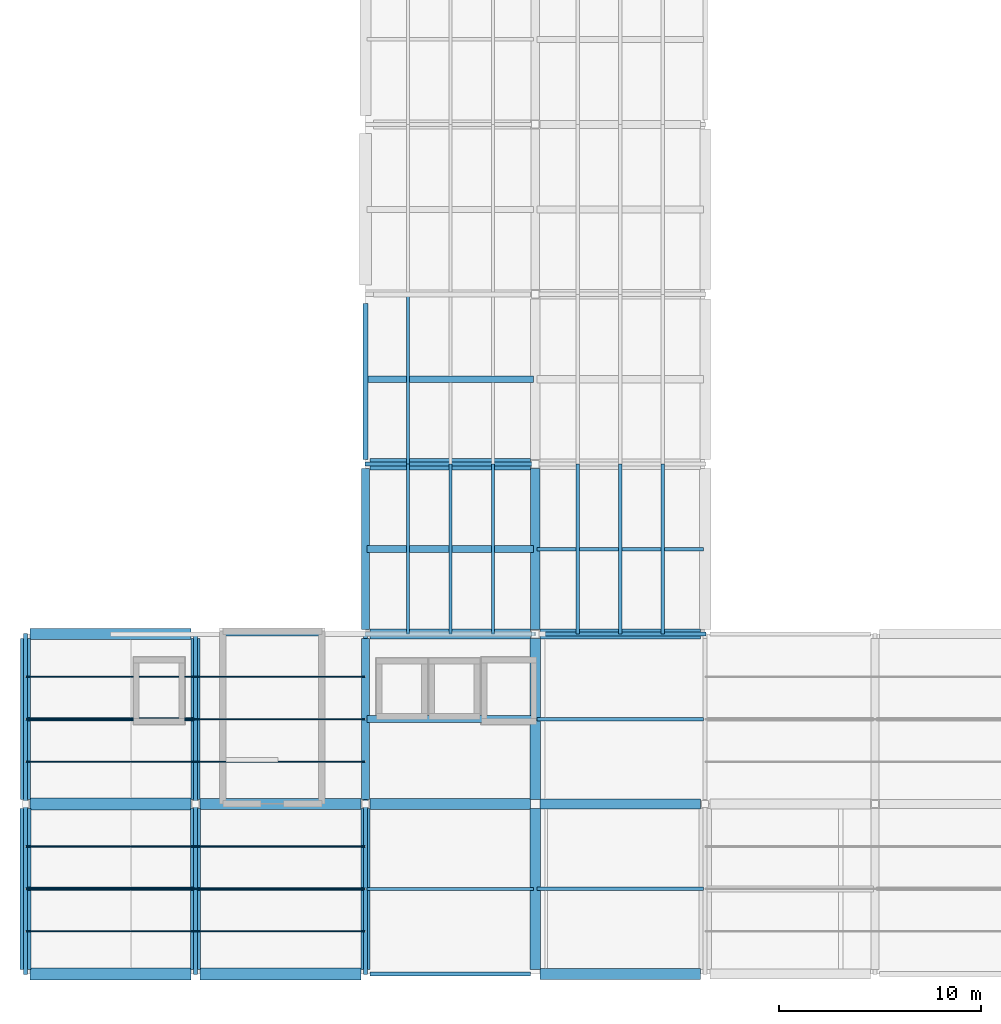
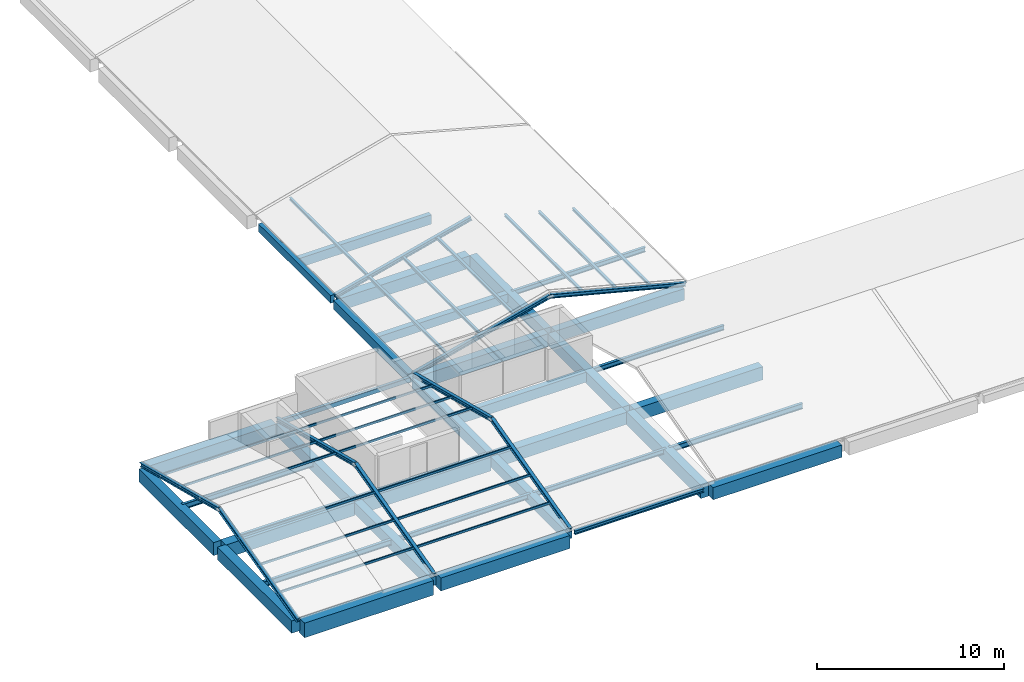
# One storey, part 1 of 17: 34 beams, 28 members.
"""IFC4 building model written with IfcOpenShell, lengths in metres."""

from ifc_helpers import new_model, si_unit, derived_unit, direction, frame, origin, origin_2d, place, context, subcontext, project, spatial, rectangle, hollow_rectangle, i_section, extrude, material, material_profile, profile_set, type_object, element, save


model = new_model("IFC4")

# Units and contexts
model_context = context("Model", 3, precision=1e-05, world=origin(), true_north=direction((0.0, 1.0)))
body_context = subcontext(model_context, "Body", "Model", "MODEL_VIEW")
ifc_project = project(units=[si_unit("LENGTHUNIT", "METRE"), si_unit("AREAUNIT", "SQUARE_METRE"), si_unit("VOLUMEUNIT", "CUBIC_METRE"), si_unit("PLANEANGLEUNIT", "RADIAN"), si_unit("MASSUNIT", "GRAM", prefix="KILO"), derived_unit("THERMALTRANSMITTANCEUNIT", [(si_unit("POWERUNIT", "WATT"), 1), (si_unit("LENGTHUNIT", "METRE"), -2), (si_unit("THERMODYNAMICTEMPERATUREUNIT", "KELVIN"), -1)])], contexts=[model_context])

# Site, building, storey
site_placement = place(None, origin())
site = spatial("IfcSite", under=ifc_project, at=site_placement, CompositionType="ELEMENT")
building_placement = place(site_placement, origin())
building = spatial("IfcBuilding", under=site, at=building_placement, Name="Barrovel Congress Hotel", CompositionType="ELEMENT")
storey_placement = place(building_placement, frame((0.0, 0.0, 47.10009765625)))
storey = spatial("IfcBuildingStorey", under=building, at=storey_placement, Name="RF", CompositionType="ELEMENT", Elevation=47.10009765625)

# Beams
ifc_material_1 = material(Name="Concrete C40", Category="concrete")
ifc_material_profile_1 = material_profile(ifc_material_1, rectangle(XDim=0.25, YDim=0.5, at=origin_2d()), Name="RC250x500")
ifc_profile_set_1 = profile_set([ifc_material_profile_1], Name="Concrete C40")
beam_type_1 = type_object("IfcBeamType", Name="BM-RC250x500", PredefinedType="SPANDREL", material=ifc_profile_set_1)
beam_1_placement = place(storey_placement, frame((33.60009765625, 29.625, -0.489990234375), z_axis=(0.0, 1.0, 0.0), x_axis=(-1.0, 0.0, 0.0)))
element("IfcBeam", 1, at=beam_1_placement, inside=storey, type_object=beam_type_1, Name="BMY:RF:33.6:29.4-37.8", PredefinedType="SPANDREL", context=body_context, shape_type="SweptSolid", body=[
    extrude(rectangle(XDim=0.25, YDim=0.5, at=origin_2d()), origin(), (0.0, 0.0, 1.0), 7.72509765625),
])
ifc_material_profile_2 = material_profile(ifc_material_1, rectangle(XDim=0.300048828125, YDim=0.60009765625, at=origin_2d()), Name="RC300x600")
ifc_profile_set_2 = profile_set([ifc_material_profile_2], Name="Concrete C40")
beam_type_2 = type_object("IfcBeamType", Name="BM-RC300x600", PredefinedType="JOIST", material=ifc_profile_set_2)
beam_2_placement = place(storey_placement, frame((33.679931640625, 33.60009765625, -0.5400390625), z_axis=(1.0, 0.0, 0.0), x_axis=(0.0, 1.0, 0.0)))
element("IfcBeam", 2, at=beam_2_placement, inside=storey, type_object=beam_type_2, Name="JST:RF:33.6:33.6", PredefinedType="JOIST", context=body_context, shape_type="SweptSolid", body=[
    extrude(rectangle(XDim=0.300048828125, YDim=0.60009765625, at=origin_2d()), origin(), (0.0, 0.0, 1.0), 8.239990234375),
])
ifc_material_profile_3 = material_profile(ifc_material_1, rectangle(XDim=0.35009765625, YDim=0.550048828125, at=origin_2d()), Name="RC350x550")
ifc_profile_set_3 = profile_set([ifc_material_profile_3], Name="Concrete C40")
beam_type_3 = type_object("IfcBeamType", Name="BM-RC350x550", PredefinedType="JOIST", material=ifc_profile_set_3)
beam_3_placement = place(storey_placement, frame((33.679931640625, 25.199951171875, -0.51513671875), z_axis=(1.0, 0.0, 0.0), x_axis=(0.0, 1.0, 0.0)))
element("IfcBeam", 3, at=beam_3_placement, inside=storey, type_object=beam_type_3, Name="JST:RF:33.6:25.2", PredefinedType="JOIST", context=body_context, shape_type="SweptSolid", body=[
    extrude(rectangle(XDim=0.35009765625, YDim=0.550048828125, at=origin_2d()), origin(), (0.0, 0.0, 1.0), 8.239990234375),
])
ifc_material_profile_4 = material_profile(ifc_material_1, rectangle(XDim=0.35009765625, YDim=0.64990234375, at=origin_2d()), Name="RC350x650")
ifc_profile_set_4 = profile_set([ifc_material_profile_4], Name="Concrete C40")
beam_type_4 = type_object("IfcBeamType", Name="BM-RC350x650", PredefinedType="JOIST", material=ifc_profile_set_4)
beam_4_placement = place(storey_placement, frame((33.679931640625, 16.800048828125, -0.565185546875), z_axis=(1.0, 0.0, 0.0), x_axis=(0.0, 1.0, 0.0)))
element("IfcBeam", 4, at=beam_4_placement, inside=storey, type_object=beam_type_4, Name="JST:RF:33.6:16.8", PredefinedType="JOIST", context=body_context, shape_type="SweptSolid", body=[
    extrude(rectangle(XDim=0.35009765625, YDim=0.64990234375, at=origin_2d()), origin(), (0.0, 0.0, 1.0), 8.239990234375),
])
ifc_material_profile_5 = material_profile(ifc_material_1, rectangle(XDim=0.39990234375, YDim=0.60009765625, at=origin_2d()), Name="RC400x600")
ifc_profile_set_5 = profile_set([ifc_material_profile_5], Name="Concrete C40")
beam_type_5 = type_object("IfcBeamType", Name="BM-RC400x600", PredefinedType="BEAM", material=ifc_profile_set_5)
beam_5_placement = place(storey_placement, frame((33.60009765625, 21.22509765625, -0.5400390625), z_axis=(0.0, 1.0, 0.0), x_axis=(-1.0, 0.0, 0.0)))
element("IfcBeam", 5, at=beam_5_placement, inside=storey, type_object=beam_type_5, Name="BMY:RF:33.6:21.0-29.4", PredefinedType="BEAM", context=body_context, shape_type="SweptSolid", body=[
    extrude(rectangle(XDim=0.39990234375, YDim=0.60009765625, at=origin_2d()), origin(), (0.0, 0.0, 1.0), 7.949951171875),
])
ifc_material_profile_6 = material_profile(ifc_material_1, rectangle(XDim=0.39990234375, YDim=0.699951171875, at=origin_2d()), Name="RC400x700")
ifc_profile_set_6 = profile_set([ifc_material_profile_6], Name="Concrete C40")
beam_type_6 = type_object("IfcBeamType", Name="BM-RC400x700", PredefinedType="BEAM", material=ifc_profile_set_6)
beam_6_placement = place(storey_placement, frame((33.60009765625, 12.824951171875, -0.590087890625), z_axis=(0.0, 1.0, 0.0), x_axis=(-1.0, 0.0, 0.0)))
element("IfcBeam", 6, at=beam_6_placement, inside=storey, type_object=beam_type_6, Name="BMY:RF:33.6:12.6-21.0", PredefinedType="BEAM", context=body_context, shape_type="SweptSolid", body=[
    extrude(rectangle(XDim=0.39990234375, YDim=0.699951171875, at=origin_2d()), origin(), (0.0, 0.0, 1.0), 7.949951171875),
])
ifc_material_profile_7 = material_profile(ifc_material_1, rectangle(XDim=0.449951171875, YDim=0.64990234375, at=origin_2d()), Name="RC450x650")
ifc_profile_set_7 = profile_set([ifc_material_profile_7], Name="Concrete C40")
beam_type_7 = type_object("IfcBeamType", Name="BM-RC450x650", PredefinedType="BEAM", material=ifc_profile_set_7)
beam_7_placement = place(storey_placement, frame((33.60009765625, 4.425048828125, -0.565185546875), z_axis=(0.0, 1.0, 0.0), x_axis=(-1.0, 0.0, 0.0)))
element("IfcBeam", 7, at=beam_7_placement, inside=storey, type_object=beam_type_7, Name="BMY:RF:33.6:4.2-12.6", PredefinedType="BEAM", context=body_context, shape_type="SweptSolid", body=[
    extrude(rectangle(XDim=0.449951171875, YDim=0.64990234375, at=origin_2d()), origin(), (0.0, 0.0, 1.0), 7.949951171875),
])
ifc_material_profile_8 = material_profile(ifc_material_1, rectangle(XDim=0.449951171875, YDim=0.75, at=origin_2d()), Name="RC450x750")
ifc_profile_set_8 = profile_set([ifc_material_profile_8], Name="Concrete C40")
beam_type_8 = type_object("IfcBeamType", Name="BM-RC450x750", PredefinedType="BEAM", material=ifc_profile_set_8)
for number, where, z_axis, x_axis, name in (
    (8, (25.199951171875, 12.824951171875, -0.614990234375), (0.0, 1.0, 0.0), (-1.0, 0.0, 0.0), "BMY:RF:25.2:12.6-21.0"),
    (9, (42.0, 21.22509765625, -0.614990234375), (0.0, 1.0, 0.0), (-1.0, 0.0, 0.0), "BMY:RF:42.0:21.0-29.4"),
):
    element("IfcBeam", number, at=place(storey_placement, frame(where, z_axis=z_axis, x_axis=x_axis)), inside=storey, type_object=beam_type_8, Name=name, PredefinedType="BEAM", context=body_context, shape_type="SweptSolid", body=[
        extrude(rectangle(XDim=0.449951171875, YDim=0.75, at=origin_2d()), origin(), (0.0, 0.0, 1.0), 7.949951171875),
    ])
ifc_material_profile_9 = material_profile(ifc_material_1, rectangle(XDim=0.5, YDim=0.75, at=origin_2d()), Name="RC500x750")
ifc_profile_set_9 = profile_set([ifc_material_profile_9], Name="Concrete C40")
beam_type_9 = type_object("IfcBeamType", Name="BM-RC500x750", PredefinedType="BEAM", material=ifc_profile_set_9)
for number, where, z_axis, x_axis, name in (
    (10, (42.22509765625, 21.0, -0.614990234375), (1.0, 0.0, 0.0), (0.0, 1.0, 0.0), "BMX:RF:21.0:42.0-50.4"),
    (11, (25.199951171875, 4.425048828125, -0.614990234375), (0.0, 1.0, 0.0), (-1.0, 0.0, 0.0), "BMY:RF:25.2:4.2-12.6"),
    (12, (42.0, 12.824951171875, -0.614990234375), (0.0, 1.0, 0.0), (-1.0, 0.0, 0.0), "BMY:RF:42.0:12.6-21.0"),
):
    element("IfcBeam", number, at=place(storey_placement, frame(where, z_axis=z_axis, x_axis=x_axis)), inside=storey, type_object=beam_type_9, Name=name, PredefinedType="BEAM", context=body_context, shape_type="SweptSolid", body=[
        extrude(rectangle(XDim=0.5, YDim=0.75, at=origin_2d()), origin(), (0.0, 0.0, 1.0), 7.949951171875),
    ])
ifc_material_profile_10 = material_profile(ifc_material_1, rectangle(XDim=0.5, YDim=0.85009765625, at=origin_2d()), Name="RC500x850")
ifc_profile_set_10 = profile_set([ifc_material_profile_10], Name="Concrete C40")
beam_type_10 = type_object("IfcBeamType", Name="BM-RC500x850", PredefinedType="BEAM", material=ifc_profile_set_10)
for number, where, z_axis, x_axis, name in (
    (13, (42.22509765625, 12.60009765625, -0.6650390625), (1.0, 0.0, 0.0), (0.0, 1.0, 0.0), "BMX:RF:12.6:42.0-50.4"),
    (14, (33.824951171875, 21.0, -0.6650390625), (1.0, 0.0, 0.0), (0.0, 1.0, 0.0), "BMX:RF:21.0:33.6-42.0"),
    (15, (16.800048828125, 12.824951171875, -0.6650390625), (0.0, 1.0, 0.0), (-1.0, 0.0, 0.0), "BMY:RF:16.8:12.6-21.0"),
    (16, (42.0, 4.425048828125, -0.6650390625), (0.0, 1.0, 0.0), (-1.0, 0.0, 0.0), "BMY:RF:42.0:4.2-12.6"),
):
    element("IfcBeam", number, at=place(storey_placement, frame(where, z_axis=z_axis, x_axis=x_axis)), inside=storey, type_object=beam_type_10, Name=name, PredefinedType="BEAM", context=body_context, shape_type="SweptSolid", body=[
        extrude(rectangle(XDim=0.5, YDim=0.85009765625, at=origin_2d()), origin(), (0.0, 0.0, 1.0), 7.949951171875),
    ])
ifc_material_profile_11 = material_profile(ifc_material_1, rectangle(XDim=0.550048828125, YDim=0.800048828125, at=origin_2d()), Name="RC550x800")
ifc_profile_set_11 = profile_set([ifc_material_profile_11], Name="Concrete C40")
beam_type_11 = type_object("IfcBeamType", Name="BM-RC550x800", PredefinedType="BEAM", material=ifc_profile_set_11)
for number, where, z_axis, x_axis, name in (
    (17, (42.22509765625, 4.199951171875, -0.64013671875), (1.0, 0.0, 0.0), (0.0, 1.0, 0.0), "BMX:RF:4.2:42.0-50.4"),
    (18, (33.824951171875, 12.60009765625, -0.64013671875), (1.0, 0.0, 0.0), (0.0, 1.0, 0.0), "BMX:RF:12.6:33.6-42.0"),
    (19, (33.824951171875, 29.39990234375, -0.64013671875), (1.0, 0.0, 0.0), (0.0, 1.0, 0.0), "BMX:RF:29.4:33.6-42.0"),
    (20, (16.800048828125, 4.425048828125, -0.64013671875), (0.0, 1.0, 0.0), (-1.0, 0.0, 0.0), "BMY:RF:16.8:4.2-12.6"),
):
    element("IfcBeam", number, at=place(storey_placement, frame(where, z_axis=z_axis, x_axis=x_axis)), inside=storey, type_object=beam_type_11, Name=name, PredefinedType="BEAM", context=body_context, shape_type="SweptSolid", body=[
        extrude(rectangle(XDim=0.550048828125, YDim=0.800048828125, at=origin_2d()), origin(), (0.0, 0.0, 1.0), 7.949951171875),
    ])
ifc_material_profile_12 = material_profile(ifc_material_1, rectangle(XDim=0.550048828125, YDim=0.89990234375, at=origin_2d()), Name="RC550x900")
ifc_profile_set_12 = profile_set([ifc_material_profile_12], Name="Concrete C40")
beam_type_12 = type_object("IfcBeamType", Name="BM-RC550x900", PredefinedType="BEAM", material=ifc_profile_set_12)
beam_8_placement = place(storey_placement, frame((25.425048828125, 12.60009765625, -0.690185546875), z_axis=(1.0, 0.0, 0.0), x_axis=(0.0, 1.0, 0.0)))
element("IfcBeam", 21, at=beam_8_placement, inside=storey, type_object=beam_type_12, Name="BMX:RF:12.6:25.2-33.6", PredefinedType="BEAM", context=body_context, shape_type="SweptSolid", body=[
    extrude(rectangle(XDim=0.550048828125, YDim=0.89990234375, at=origin_2d()), origin(), (0.0, 0.0, 1.0), 7.949951171875),
])
beam_9_placement = place(storey_placement, frame((17.02490234375, 21.0, -0.690185546875), z_axis=(1.0, 0.0, 0.0), x_axis=(0.0, 1.0, 0.0)))
element("IfcBeam", 22, at=beam_9_placement, inside=storey, type_object=beam_type_12, Name="BMX:RF:21.0:16.8-25.2", PredefinedType="BEAM", context=body_context, shape_type="SweptSolid", body=[
    extrude(rectangle(XDim=0.550048828125, YDim=0.89990234375, at=origin_2d()), origin(), (0.0, 0.0, 1.0), 7.9501953125),
])
ifc_material_profile_13 = material_profile(ifc_material_1, rectangle(XDim=0.60009765625, YDim=0.85009765625, at=origin_2d()), Name="RC600x850")
ifc_profile_set_13 = profile_set([ifc_material_profile_13], Name="Concrete C40")
beam_type_13 = type_object("IfcBeamType", Name="BM-RC600x850", PredefinedType="BEAM", material=ifc_profile_set_13)
beam_10_placement = place(storey_placement, frame((25.425048828125, 4.199951171875, -0.6650390625), z_axis=(1.0, 0.0, 0.0), x_axis=(0.0, 1.0, 0.0)))
element("IfcBeam", 23, at=beam_10_placement, inside=storey, type_object=beam_type_13, Name="BMX:RF:4.2:25.2-33.6", PredefinedType="BEAM", context=body_context, shape_type="SweptSolid", body=[
    extrude(rectangle(XDim=0.60009765625, YDim=0.85009765625, at=origin_2d()), origin(), (0.0, 0.0, 1.0), 7.949951171875),
])
beam_11_placement = place(storey_placement, frame((17.02490234375, 12.60009765625, -0.6650390625), z_axis=(1.0, 0.0, 0.0), x_axis=(0.0, 1.0, 0.0)))
element("IfcBeam", 24, at=beam_11_placement, inside=storey, type_object=beam_type_13, Name="BMX:RF:12.6:16.8-25.2", PredefinedType="BEAM", context=body_context, shape_type="SweptSolid", body=[
    extrude(rectangle(XDim=0.60009765625, YDim=0.85009765625, at=origin_2d()), origin(), (0.0, 0.0, 1.0), 7.9501953125),
])
ifc_material_profile_14 = material_profile(ifc_material_1, rectangle(XDim=0.60009765625, YDim=0.949951171875, at=origin_2d()), Name="RC600x950")
ifc_profile_set_14 = profile_set([ifc_material_profile_14], Name="Concrete C40")
beam_type_14 = type_object("IfcBeamType", Name="BM-RC600x950", PredefinedType="BEAM", material=ifc_profile_set_14)
beam_12_placement = place(storey_placement, frame((17.02490234375, 4.199951171875, -0.715087890625), z_axis=(1.0, 0.0, 0.0), x_axis=(0.0, 1.0, 0.0)))
element("IfcBeam", 25, at=beam_12_placement, inside=storey, type_object=beam_type_14, Name="BMX:RF:4.2:16.8-25.2", PredefinedType="BEAM", context=body_context, shape_type="SweptSolid", body=[
    extrude(rectangle(XDim=0.60009765625, YDim=0.949951171875, at=origin_2d()), origin(), (0.0, 0.0, 1.0), 7.9501953125),
])

# Members
ifc_material_2 = material(Name="Steel ASTM A500 Grade C", Category="steel")
ifc_material_profile_15 = material_profile(ifc_material_2, hollow_rectangle(XDim=0.076171875, YDim=0.15234375, WallThickness=0.005859375, InnerFilletRadius=0.005859375, OuterFilletRadius=0.01171875, at=origin_2d()), Name="HSS152x76x6.4")
ifc_profile_set_15 = profile_set([ifc_material_profile_15], Name="Steel ASTM A500 Grade C")
member_type_1 = type_object("IfcMemberType", Name="MEM-HSS152x76x6.4", PredefinedType="STRINGER", material=ifc_profile_set_15)
member_1_placement = place(storey_placement, frame((16.800048828125, 6.300048828125, 0.3876953125), z_axis=(1.0, 0.0, 0.0), x_axis=(0.0, 1.0, 0.0)))
element("IfcMember", 26, at=member_1_placement, inside=storey, type_object=member_type_1, Name="RF-PUR:6.3:16.8", PredefinedType="STRINGER", context=body_context, shape_type="SweptSolid", body=[
    extrude(hollow_rectangle(XDim=0.076171875, YDim=0.15234375, WallThickness=0.005859375, InnerFilletRadius=0.005859375, OuterFilletRadius=0.01171875, at=origin_2d()), origin(), (0.0, 0.0, 1.0), 8.39990234375),
])
member_2_placement = place(storey_placement, frame((25.199951171875, 6.300048828125, 0.3876953125), z_axis=(1.0, 0.0, 0.0), x_axis=(0.0, 1.0, 0.0)))
element("IfcMember", 27, at=member_2_placement, inside=storey, type_object=member_type_1, Name="RF-PUR:6.3:25.2", PredefinedType="STRINGER", context=body_context, shape_type="SweptSolid", body=[
    extrude(hollow_rectangle(XDim=0.076171875, YDim=0.15234375, WallThickness=0.005859375, InnerFilletRadius=0.005859375, OuterFilletRadius=0.01171875, at=origin_2d()), origin(), (0.0, 0.0, 1.0), 8.400146484375),
])
member_3_placement = place(storey_placement, frame((16.800048828125, 8.39990234375, 0.92529296875), z_axis=(1.0, 0.0, 0.0), x_axis=(0.0, 1.0, 0.0)))
element("IfcMember", 28, at=member_3_placement, inside=storey, type_object=member_type_1, Name="RF-PUR:8.4:16.8", PredefinedType="STRINGER", context=body_context, shape_type="SweptSolid", body=[
    extrude(hollow_rectangle(XDim=0.076171875, YDim=0.15234375, WallThickness=0.005859375, InnerFilletRadius=0.005859375, OuterFilletRadius=0.01171875, at=origin_2d()), origin(), (0.0, 0.0, 1.0), 8.39990234375),
])
member_4_placement = place(storey_placement, frame((25.199951171875, 8.39990234375, 0.92529296875), z_axis=(1.0, 0.0, 0.0), x_axis=(0.0, 1.0, 0.0)))
element("IfcMember", 29, at=member_4_placement, inside=storey, type_object=member_type_1, Name="RF-PUR:8.4:25.2", PredefinedType="STRINGER", context=body_context, shape_type="SweptSolid", body=[
    extrude(hollow_rectangle(XDim=0.076171875, YDim=0.15234375, WallThickness=0.005859375, InnerFilletRadius=0.005859375, OuterFilletRadius=0.01171875, at=origin_2d()), origin(), (0.0, 0.0, 1.0), 8.400146484375),
])
member_5_placement = place(storey_placement, frame((16.800048828125, 10.5, 1.462890625), z_axis=(1.0, 0.0, 0.0), x_axis=(0.0, 1.0, 0.0)))
element("IfcMember", 30, at=member_5_placement, inside=storey, type_object=member_type_1, Name="RF-PUR:10.5:16.8", PredefinedType="STRINGER", context=body_context, shape_type="SweptSolid", body=[
    extrude(hollow_rectangle(XDim=0.076171875, YDim=0.15234375, WallThickness=0.005859375, InnerFilletRadius=0.005859375, OuterFilletRadius=0.01171875, at=origin_2d()), origin(), (0.0, 0.0, 1.0), 8.39990234375),
])
member_6_placement = place(storey_placement, frame((25.199951171875, 10.5, 1.462890625), z_axis=(1.0, 0.0, 0.0), x_axis=(0.0, 1.0, 0.0)))
element("IfcMember", 31, at=member_6_placement, inside=storey, type_object=member_type_1, Name="RF-PUR:10.5:25.2", PredefinedType="STRINGER", context=body_context, shape_type="SweptSolid", body=[
    extrude(hollow_rectangle(XDim=0.076171875, YDim=0.15234375, WallThickness=0.005859375, InnerFilletRadius=0.005859375, OuterFilletRadius=0.01171875, at=origin_2d()), origin(), (0.0, 0.0, 1.0), 8.400146484375),
])
member_7_placement = place(storey_placement, frame((16.800048828125, 14.699951171875, 1.462890625), z_axis=(1.0, 0.0, 0.0), x_axis=(0.0, 1.0, 0.0)))
element("IfcMember", 32, at=member_7_placement, inside=storey, type_object=member_type_1, Name="RF-PUR:14.7:16.8", PredefinedType="STRINGER", context=body_context, shape_type="SweptSolid", body=[
    extrude(hollow_rectangle(XDim=0.076171875, YDim=0.15234375, WallThickness=0.005859375, InnerFilletRadius=0.005859375, OuterFilletRadius=0.01171875, at=origin_2d()), origin(), (0.0, 0.0, 1.0), 8.39990234375),
])
member_8_placement = place(storey_placement, frame((25.199951171875, 14.699951171875, 1.462890625), z_axis=(1.0, 0.0, 0.0), x_axis=(0.0, 1.0, 0.0)))
element("IfcMember", 33, at=member_8_placement, inside=storey, type_object=member_type_1, Name="RF-PUR:14.7:25.2", PredefinedType="STRINGER", context=body_context, shape_type="SweptSolid", body=[
    extrude(hollow_rectangle(XDim=0.076171875, YDim=0.15234375, WallThickness=0.005859375, InnerFilletRadius=0.005859375, OuterFilletRadius=0.01171875, at=origin_2d()), origin(), (0.0, 0.0, 1.0), 8.400146484375),
])
member_9_placement = place(storey_placement, frame((16.800048828125, 16.800048828125, 0.92529296875), z_axis=(1.0, 0.0, 0.0), x_axis=(0.0, 1.0, 0.0)))
element("IfcMember", 34, at=member_9_placement, inside=storey, type_object=member_type_1, Name="RF-PUR:16.8:16.8", PredefinedType="STRINGER", context=body_context, shape_type="SweptSolid", body=[
    extrude(hollow_rectangle(XDim=0.076171875, YDim=0.15234375, WallThickness=0.005859375, InnerFilletRadius=0.005859375, OuterFilletRadius=0.01171875, at=origin_2d()), origin(), (0.0, 0.0, 1.0), 8.39990234375),
])
member_10_placement = place(storey_placement, frame((25.199951171875, 16.800048828125, 0.92529296875), z_axis=(1.0, 0.0, 0.0), x_axis=(0.0, 1.0, 0.0)))
element("IfcMember", 35, at=member_10_placement, inside=storey, type_object=member_type_1, Name="RF-PUR:16.8:25.2", PredefinedType="STRINGER", context=body_context, shape_type="SweptSolid", body=[
    extrude(hollow_rectangle(XDim=0.076171875, YDim=0.15234375, WallThickness=0.005859375, InnerFilletRadius=0.005859375, OuterFilletRadius=0.01171875, at=origin_2d()), origin(), (0.0, 0.0, 1.0), 8.400146484375),
])
member_11_placement = place(storey_placement, frame((16.800048828125, 18.89990234375, 0.3876953125), z_axis=(1.0, 0.0, 0.0), x_axis=(0.0, 1.0, 0.0)))
element("IfcMember", 36, at=member_11_placement, inside=storey, type_object=member_type_1, Name="RF-PUR:18.9:16.8", PredefinedType="STRINGER", context=body_context, shape_type="SweptSolid", body=[
    extrude(hollow_rectangle(XDim=0.076171875, YDim=0.15234375, WallThickness=0.005859375, InnerFilletRadius=0.005859375, OuterFilletRadius=0.01171875, at=origin_2d()), origin(), (0.0, 0.0, 1.0), 8.39990234375),
])
member_12_placement = place(storey_placement, frame((25.199951171875, 18.89990234375, 0.3876953125), z_axis=(1.0, 0.0, 0.0), x_axis=(0.0, 1.0, 0.0)))
element("IfcMember", 37, at=member_12_placement, inside=storey, type_object=member_type_1, Name="RF-PUR:18.9:25.2", PredefinedType="STRINGER", context=body_context, shape_type="SweptSolid", body=[
    extrude(hollow_rectangle(XDim=0.076171875, YDim=0.15234375, WallThickness=0.005859375, InnerFilletRadius=0.005859375, OuterFilletRadius=0.01171875, at=origin_2d()), origin(), (0.0, 0.0, 1.0), 8.400146484375),
])
ifc_material_3 = material(Name="Steel ASTM A992 Grade 50", Category="steel")
ifc_material_profile_16 = material_profile(ifc_material_3, i_section(OverallWidth=0.152099609375, OverallDepth=0.152099609375, WebThickness=0.005859375, FlangeThickness=0.006591796875, FilletRadius=0.009033203125, at=origin_2d()), Name="W150x22.5")
ifc_profile_set_16 = profile_set([ifc_material_profile_16], Name="Steel ASTM A992 Grade 50")
member_type_2 = type_object("IfcMemberType", Name="MEM-W150x22.5", PredefinedType="STRINGER", material=ifc_profile_set_16)
member_13_placement = place(storey_placement, frame((35.699951171875, 21.0, 0.3876953125), z_axis=(0.0, 1.0, 0.0), x_axis=(-1.0, 0.0, 0.0)))
element("IfcMember", 38, at=member_13_placement, inside=storey, type_object=member_type_2, Name="RF-WPUR:35.7:21.0", PredefinedType="STRINGER", context=body_context, shape_type="SweptSolid", body=[
    extrude(i_section(OverallWidth=0.152099609375, OverallDepth=0.152099609375, WebThickness=0.005859375, FlangeThickness=0.006591796875, FilletRadius=0.009033203125, at=origin_2d()), origin(), (0.0, 0.0, 1.0), 8.39990234375),
])
member_14_placement = place(storey_placement, frame((35.699951171875, 29.39990234375, 0.3876953125), z_axis=(0.0, 1.0, 0.0), x_axis=(-1.0, 0.0, 0.0)))
element("IfcMember", 39, at=member_14_placement, inside=storey, type_object=member_type_2, Name="RF-WPUR:35.7:29.4", PredefinedType="STRINGER", context=body_context, shape_type="SweptSolid", body=[
    extrude(i_section(OverallWidth=0.152099609375, OverallDepth=0.152099609375, WebThickness=0.005859375, FlangeThickness=0.006591796875, FilletRadius=0.009033203125, at=origin_2d()), origin(), (0.0, 0.0, 1.0), 8.400146484375),
])
for number, where, z_axis, x_axis, name in (
    (40, (37.800048828125, 21.0, 0.92529296875), (0.0, 1.0, 0.0), (-1.0, 0.0, 0.0), "RF-WPUR:37.8:21.0"),
    (41, (39.89990234375, 21.0, 1.462890625), (0.0, 1.0, 0.0), (-1.0, 0.0, 0.0), "RF-WPUR:39.9:21.0"),
    (42, (44.10009765625, 21.0, 1.462890625), (0.0, 1.0, 0.0), (-1.0, 0.0, 0.0), "RF-WPUR:44.1:21.0"),
    (43, (46.199951171875, 21.0, 0.92529296875), (0.0, 1.0, 0.0), (-1.0, 0.0, 0.0), "RF-WPUR:46.2:21.0"),
    (44, (48.300048828125, 21.0, 0.3876953125), (0.0, 1.0, 0.0), (-1.0, 0.0, 0.0), "RF-WPUR:48.3:21.0"),
):
    element("IfcMember", number, at=place(storey_placement, frame(where, z_axis=z_axis, x_axis=x_axis)), inside=storey, type_object=member_type_2, Name=name, PredefinedType="STRINGER", context=body_context, shape_type="SweptSolid", body=[
        extrude(i_section(OverallWidth=0.152099609375, OverallDepth=0.152099609375, WebThickness=0.005859375, FlangeThickness=0.006591796875, FilletRadius=0.009033203125, at=origin_2d()), origin(), (0.0, 0.0, 1.0), 8.39990234375),
    ])
ifc_material_profile_17 = material_profile(ifc_material_3, i_section(OverallWidth=0.201904296875, OverallDepth=0.2470703125, WebThickness=0.00732421875, FlangeThickness=0.010986328125, FilletRadius=0.011962890625, at=origin_2d()), Name="W250x49")
ifc_profile_set_17 = profile_set([ifc_material_profile_17], Name="Steel ASTM A992 Grade 50")
member_type_3 = type_object("IfcMemberType", Name="MEM-W250x49", PredefinedType="RAFTER", material=ifc_profile_set_17)
member_15_placement = place(storey_placement, frame((16.800048828125, 4.199951171875, -0.150146484375), z_axis=(0.0, 0.968747183788, 0.248050184241), x_axis=(-1.0, 0.0, 0.0)))
element("IfcMember", 45, at=member_15_placement, inside=storey, type_object=member_type_3, Name="RF-RAF-S:16.8", PredefinedType="RAFTER", context=body_context, shape_type="SweptSolid", body=[
    extrude(i_section(OverallWidth=0.201904296875, OverallDepth=0.2470703125, WebThickness=0.00732421875, FlangeThickness=0.010986328125, FilletRadius=0.011962890625, at=origin_2d()), origin(), (0.0, 0.0, 1.0), 8.671142578125),
])
member_16_placement = place(storey_placement, frame((16.800048828125, 12.60009765625, 2.000732421875), z_axis=(0.0, 0.968745451339, -0.248056950134), x_axis=(-1.0, 0.0, 0.0)))
element("IfcMember", 46, at=member_16_placement, inside=storey, type_object=member_type_3, Name="RF-RAF-N:16.8", PredefinedType="RAFTER", context=body_context, shape_type="SweptSolid", body=[
    extrude(i_section(OverallWidth=0.201904296875, OverallDepth=0.2470703125, WebThickness=0.00732421875, FlangeThickness=0.010986328125, FilletRadius=0.011962890625, at=origin_2d()), origin(), (0.0, 0.0, 1.0), 8.6708984375),
])
member_17_placement = place(storey_placement, frame((25.199951171875, 4.199951171875, -0.150146484375), z_axis=(0.0, 0.968747183788, 0.248050184241), x_axis=(-1.0, 0.0, 0.0)))
element("IfcMember", 47, at=member_17_placement, inside=storey, type_object=member_type_3, Name="RF-RAF-S:25.2", PredefinedType="RAFTER", context=body_context, shape_type="SweptSolid", body=[
    extrude(i_section(OverallWidth=0.201904296875, OverallDepth=0.2470703125, WebThickness=0.00732421875, FlangeThickness=0.010986328125, FilletRadius=0.011962890625, at=origin_2d()), origin(), (0.0, 0.0, 1.0), 8.671142578125),
])
member_18_placement = place(storey_placement, frame((25.199951171875, 12.60009765625, 2.000732421875), z_axis=(0.0, 0.968745451339, -0.248056950134), x_axis=(-1.0, 0.0, 0.0)))
element("IfcMember", 48, at=member_18_placement, inside=storey, type_object=member_type_3, Name="RF-RAF-N:25.2", PredefinedType="RAFTER", context=body_context, shape_type="SweptSolid", body=[
    extrude(i_section(OverallWidth=0.201904296875, OverallDepth=0.2470703125, WebThickness=0.00732421875, FlangeThickness=0.010986328125, FilletRadius=0.011962890625, at=origin_2d()), origin(), (0.0, 0.0, 1.0), 8.6708984375),
])
member_19_placement = place(storey_placement, frame((33.60009765625, 4.199951171875, -0.150146484375), z_axis=(0.0, 0.968747183788, 0.248050184241), x_axis=(-1.0, 0.0, 0.0)))
element("IfcMember", 49, at=member_19_placement, inside=storey, type_object=member_type_3, Name="RF-RAF-S:33.6", PredefinedType="RAFTER", context=body_context, shape_type="SweptSolid", body=[
    extrude(i_section(OverallWidth=0.201904296875, OverallDepth=0.2470703125, WebThickness=0.00732421875, FlangeThickness=0.010986328125, FilletRadius=0.011962890625, at=origin_2d()), origin(), (0.0, 0.0, 1.0), 8.671142578125),
])
for number, where, z_axis, x_axis, name in (
    (50, (33.60009765625, 12.60009765625, 2.000732421875), (0.0, 0.968745451339, -0.248056950134), (-1.0, 0.0, 0.0), "RF-RAF-N:33.6"),
    (51, (33.60009765625, 21.0, -0.150146484375), (0.968745451339, 0.0, 0.248056950134), (0.0, 1.0, 0.0), "RF-WRAF-W:21.0"),
    (52, (42.0, 21.0, 2.000732421875), (0.968745451339, 0.0, -0.248056950134), (0.0, 1.0, 0.0), "RF-WRAF-E:21.0"),
    (53, (33.60009765625, 29.39990234375, -0.150146484375), (0.968745451339, 0.0, 0.248056950134), (0.0, 1.0, 0.0), "RF-WRAF-W:29.4"),
):
    element("IfcMember", number, at=place(storey_placement, frame(where, z_axis=z_axis, x_axis=x_axis)), inside=storey, type_object=member_type_3, Name=name, PredefinedType="RAFTER", context=body_context, shape_type="SweptSolid", body=[
        extrude(i_section(OverallWidth=0.201904296875, OverallDepth=0.2470703125, WebThickness=0.00732421875, FlangeThickness=0.010986328125, FilletRadius=0.011962890625, at=origin_2d()), origin(), (0.0, 0.0, 1.0), 8.6708984375),
    ])

# Beams
ifc_material_profile_18 = material_profile(ifc_material_2, hollow_rectangle(XDim=0.203125, YDim=0.3046875, WallThickness=0.01171875, InnerFilletRadius=0.01171875, OuterFilletRadius=0.023681640625, at=origin_2d()), Name="HSS305x203x12.7")
ifc_profile_set_18 = profile_set([ifc_material_profile_18], Name="Steel ASTM A500 Grade C")
beam_type_15 = type_object("IfcBeamType", Name="SBM-HSS305x203x12.7", PredefinedType="SPANDREL", material=ifc_profile_set_18)
beam_13_placement = place(storey_placement, frame((25.425048828125, 21.0, -0.392578125), z_axis=(1.0, 0.0, 0.0), x_axis=(0.0, 1.0, 0.0)))
element("IfcBeam", 54, at=beam_13_placement, inside=storey, type_object=beam_type_15, Name="BMX:RF:21.0:25.2-33.6", PredefinedType="SPANDREL", context=body_context, shape_type="SweptSolid", body=[
    extrude(hollow_rectangle(XDim=0.203125, YDim=0.3046875, WallThickness=0.01171875, InnerFilletRadius=0.01171875, OuterFilletRadius=0.023681640625, at=origin_2d()), origin(), (0.0, 0.0, 1.0), 7.949951171875),
])
ifc_material_profile_19 = material_profile(ifc_material_3, i_section(OverallWidth=0.201904296875, OverallDepth=0.2470703125, WebThickness=0.00732421875, FlangeThickness=0.010986328125, FilletRadius=0.011962890625, at=origin_2d()), Name="W250x49")
ifc_profile_set_19 = profile_set([ifc_material_profile_19], Name="Steel ASTM A992 Grade 50")
beam_type_16 = type_object("IfcBeamType", Name="SBM-W250x49", PredefinedType="SPANDREL", material=ifc_profile_set_19)
beam_14_placement = place(storey_placement, frame((33.824951171875, 4.199951171875, -0.363525390625), z_axis=(1.0, 0.0, 0.0), x_axis=(0.0, 1.0, 0.0)))
element("IfcBeam", 55, at=beam_14_placement, inside=storey, type_object=beam_type_16, Name="BMX:RF:4.2:33.6-42.0", PredefinedType="SPANDREL", context=body_context, shape_type="SweptSolid", body=[
    extrude(i_section(OverallWidth=0.201904296875, OverallDepth=0.2470703125, WebThickness=0.00732421875, FlangeThickness=0.010986328125, FilletRadius=0.011962890625, at=origin_2d()), origin(), (0.0, 0.0, 1.0), 7.949951171875),
])
ifc_material_profile_20 = material_profile(ifc_material_3, i_section(OverallWidth=0.1650390625, OverallDepth=0.31005859375, WebThickness=0.005859375, FlangeThickness=0.009765625, FilletRadius=0.010986328125, at=origin_2d()), Name="W310x39")
ifc_profile_set_20 = profile_set([ifc_material_profile_20], Name="Steel ASTM A992 Grade 50")
beam_type_17 = type_object("IfcBeamType", Name="SBM-W310x39", PredefinedType="JOIST", material=ifc_profile_set_20)
for number, where, z_axis, x_axis, name in (
    (56, (33.679931640625, 8.39990234375, -0.39501953125), (1.0, 0.0, 0.0), (0.0, 1.0, 0.0), "JST:RF:33.6:8.4"),
    (57, (42.080078125, 25.199951171875, -0.39501953125), (1.0, 0.0, 0.0), (0.0, 1.0, 0.0), "JST:RF:42.0:25.2"),
):
    element("IfcBeam", number, at=place(storey_placement, frame(where, z_axis=z_axis, x_axis=x_axis)), inside=storey, type_object=beam_type_17, Name=name, PredefinedType="JOIST", context=body_context, shape_type="SweptSolid", body=[
        extrude(i_section(OverallWidth=0.1650390625, OverallDepth=0.31005859375, WebThickness=0.005859375, FlangeThickness=0.009765625, FilletRadius=0.010986328125, at=origin_2d()), origin(), (0.0, 0.0, 1.0), 8.239990234375),
    ])
ifc_material_profile_21 = material_profile(ifc_material_3, i_section(OverallWidth=0.1669921875, OverallDepth=0.31689453125, WebThickness=0.007568359375, FlangeThickness=0.01318359375, FilletRadius=0.010986328125, at=origin_2d()), Name="W310x52")
ifc_profile_set_21 = profile_set([ifc_material_profile_21], Name="Steel ASTM A992 Grade 50")
beam_type_18 = type_object("IfcBeamType", Name="SBM-W310x52", PredefinedType="JOIST", material=ifc_profile_set_21)
for number, where, z_axis, x_axis, name in (
    (58, (25.280029296875, 8.39990234375, -0.398681640625), (1.0, 0.0, 0.0), (0.0, 1.0, 0.0), "JST:RF:25.2:8.4"),
    (59, (42.080078125, 16.800048828125, -0.398681640625), (1.0, 0.0, 0.0), (0.0, 1.0, 0.0), "JST:RF:42.0:16.8"),
):
    element("IfcBeam", number, at=place(storey_placement, frame(where, z_axis=z_axis, x_axis=x_axis)), inside=storey, type_object=beam_type_18, Name=name, PredefinedType="JOIST", context=body_context, shape_type="SweptSolid", body=[
        extrude(i_section(OverallWidth=0.1669921875, OverallDepth=0.31689453125, WebThickness=0.007568359375, FlangeThickness=0.01318359375, FilletRadius=0.010986328125, at=origin_2d()), origin(), (0.0, 0.0, 1.0), 8.239990234375),
    ])
ifc_material_profile_22 = material_profile(ifc_material_3, i_section(OverallWidth=0.1708984375, OverallDepth=0.35205078125, WebThickness=0.0068359375, FlangeThickness=0.009765625, FilletRadius=0.011962890625, at=origin_2d()), Name="W360x44")
ifc_profile_set_22 = profile_set([ifc_material_profile_22], Name="Steel ASTM A992 Grade 50")
beam_type_19 = type_object("IfcBeamType", Name="SBM-W360x44", PredefinedType="JOIST", material=ifc_profile_set_22)
beam_15_placement = place(storey_placement, frame((16.8798828125, 16.800048828125, -0.416015625), z_axis=(1.0, 0.0, 0.0), x_axis=(0.0, 1.0, 0.0)))
element("IfcBeam", 60, at=beam_15_placement, inside=storey, type_object=beam_type_19, Name="JST:RF:16.8:16.8", PredefinedType="JOIST", context=body_context, shape_type="SweptSolid", body=[
    extrude(i_section(OverallWidth=0.1708984375, OverallDepth=0.35205078125, WebThickness=0.0068359375, FlangeThickness=0.009765625, FilletRadius=0.011962890625, at=origin_2d()), origin(), (0.0, 0.0, 1.0), 8.240234375),
])
beam_16_placement = place(storey_placement, frame((42.080078125, 8.39990234375, -0.416015625), z_axis=(1.0, 0.0, 0.0), x_axis=(0.0, 1.0, 0.0)))
element("IfcBeam", 61, at=beam_16_placement, inside=storey, type_object=beam_type_19, Name="JST:RF:42.0:8.4", PredefinedType="JOIST", context=body_context, shape_type="SweptSolid", body=[
    extrude(i_section(OverallWidth=0.1708984375, OverallDepth=0.35205078125, WebThickness=0.0068359375, FlangeThickness=0.009765625, FilletRadius=0.011962890625, at=origin_2d()), origin(), (0.0, 0.0, 1.0), 8.239990234375),
])
ifc_material_profile_23 = material_profile(ifc_material_3, i_section(OverallWidth=0.172119140625, OverallDepth=0.35791015625, WebThickness=0.0078125, FlangeThickness=0.01318359375, FilletRadius=0.011962890625, at=origin_2d()), Name="W360x57")
ifc_profile_set_23 = profile_set([ifc_material_profile_23], Name="Steel ASTM A992 Grade 50")
beam_type_20 = type_object("IfcBeamType", Name="SBM-W360x57", PredefinedType="JOIST", material=ifc_profile_set_23)
beam_17_placement = place(storey_placement, frame((16.8798828125, 8.39990234375, -0.419189453125), z_axis=(1.0, 0.0, 0.0), x_axis=(0.0, 1.0, 0.0)))
element("IfcBeam", 62, at=beam_17_placement, inside=storey, type_object=beam_type_20, Name="JST:RF:16.8:8.4", PredefinedType="JOIST", context=body_context, shape_type="SweptSolid", body=[
    extrude(i_section(OverallWidth=0.172119140625, OverallDepth=0.35791015625, WebThickness=0.0078125, FlangeThickness=0.01318359375, FilletRadius=0.011962890625, at=origin_2d()), origin(), (0.0, 0.0, 1.0), 8.240234375),
])

save(model, "model.ifc")
